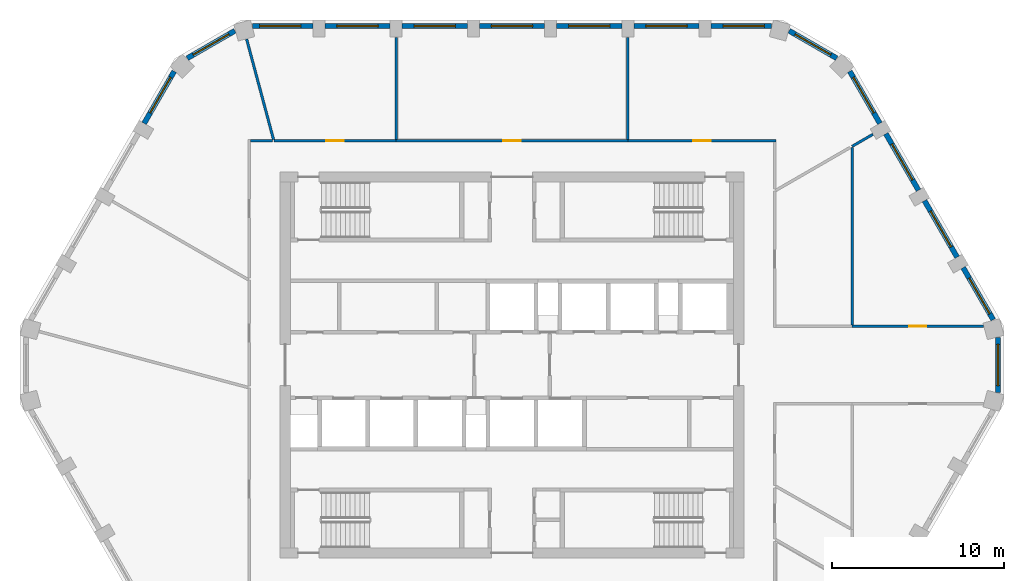
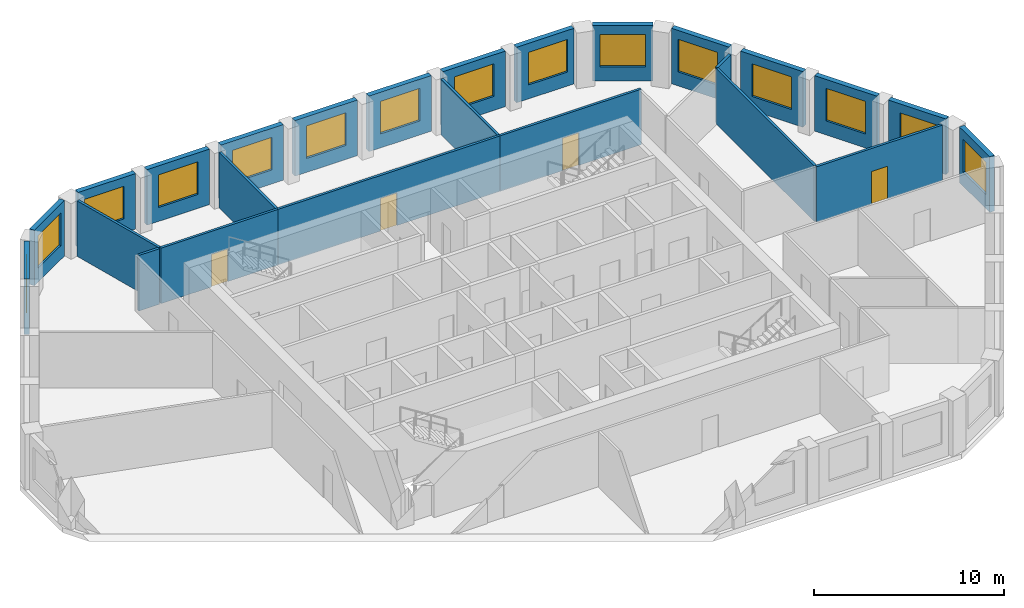
# One storey, part 6 of 10: 25 walls, 15 windows, 4 doors, 19 openings.
"""IFC4 building model written with IfcOpenShell, lengths in metres."""

from ifc_helpers import new_model, si_unit, direction, frame, frame_2d, origin, place, context, subcontext, project, spatial, rectangle, extrude, material, layer, layer_set, type_object, element, fill, save


model = new_model("IFC4")

# Units and contexts
model_context = context("Model", 3, precision=1e-05, world=origin(), true_north=direction((0.0, 1.0)))
body_context = subcontext(model_context, "Body", "Model", "MODEL_VIEW")
ifc_project = project(units=[si_unit("LENGTHUNIT", "METRE"), si_unit("AREAUNIT", "SQUARE_METRE"), si_unit("VOLUMEUNIT", "CUBIC_METRE"), si_unit("PLANEANGLEUNIT", "RADIAN"), si_unit("MASSUNIT", "GRAM", prefix="KILO")], contexts=[model_context])

# Site, building, storey
site_placement = place(None, origin())
site = spatial("IfcSite", under=ifc_project, at=site_placement, CompositionType="ELEMENT")
building_placement = place(site_placement, origin())
building = spatial("IfcBuilding", under=site, at=building_placement, Name="Dhurran Vertical Campus", CompositionType="ELEMENT")
storey_placement = place(building_placement, frame((0.0, 0.0, 246.89990234375)))
storey = spatial("IfcBuildingStorey", under=building, at=storey_placement, Name="L61", CompositionType="ELEMENT", Elevation=246.89990234375)

# Wall, opening, window
ifc_material_1 = material(Name="Precast concrete C50/60", Category="concrete")
ifc_layer_1 = layer(ifc_material_1, 0.300048828125)
ifc_layer_set_1 = layer_set([ifc_layer_1], Name="Precast concrete C50/60")
wall_type_1 = type_object("IfcWallType", Name="Precast spandrel wall 300", PredefinedType="SOLIDWALL", material=ifc_layer_set_1)
wall_1_placement = place(storey_placement, frame((28.297119140625, -1.59814453125, 0.0), z_axis=(0.0, 0.0, 1.0), x_axis=(0.0, 1.0, 0.0)))
wall_1 = element("IfcWall", 1, at=wall_1_placement, inside=storey, type_object=wall_type_1, Name="EW1 L61.12", PredefinedType="SOLIDWALL", context=body_context, shape_type="SweptSolid", body=[
    extrude(rectangle(XDim=3.1962890625, YDim=0.300048828125, at=frame_2d((1.59814453125, 0.0))), origin(), (0.0, 0.0, 1.0), 3.5751953125),
])
opening_1_placement = place(wall_1_placement, frame((0.398193359375, 0.0, 0.89990234375)))
opening_1 = element("IfcOpeningElement", 2, at=opening_1_placement, cuts=wall_1, Name="Opening WT1", PredefinedType="OPENING", context=body_context, shape_type="SweptSolid", body=[
    extrude(rectangle(XDim=2.39990234375, YDim=2.10009765625, at=frame_2d((1.199951171875, 1.050048828125))), frame((0.0, 0.159912109375, 0.0), z_axis=(0.0, -1.0, 0.0), x_axis=(1.0, 0.0, 0.0)), (0.0, 0.0, 1.0), 0.320068359375),
])
ifc_material_2 = material(Name="Aluminium frame with solar-control glass", Category="aluminium")
window_type = type_object("IfcWindowType", Name="Punched window 2400 x 2100", PartitioningType="SINGLE_PANEL", PredefinedType="WINDOW", material=ifc_material_2)
window_1_placement = place(opening_1_placement, origin())
window_1 = element("IfcWindow", 3, at=window_1_placement, inside=storey, type_object=window_type, Name="WT1 L61.12", OverallHeight=2.10009765625, OverallWidth=2.39990234375, PartitioningType="SINGLE_PANEL", PredefinedType="WINDOW", context=body_context, shape_type="SweptSolid", body=[
    extrude(rectangle(XDim=2.39990234375, YDim=2.10009765625, at=frame_2d((1.199951171875, 1.050048828125))), frame((0.0, 0.030029296875, 0.0), z_axis=(0.0, -1.0, 0.0), x_axis=(1.0, 0.0, 0.0)), (0.0, 0.0, 1.0), 0.06005859375),
])
fill(opening_1, window_1)

wall_2_placement = place(storey_placement, frame((28.01806640625, 2.6396484375, 0.0), z_axis=(0.0, 0.0, 1.0), x_axis=(-0.499990325971, 0.866030989016, 0.0)))
wall_2 = element("IfcWall", 4, at=wall_2_placement, inside=storey, type_object=wall_type_1, Name="EW1 L61.13", PredefinedType="SOLIDWALL", context=body_context, shape_type="SweptSolid", body=[
    extrude(rectangle(XDim=3.49755859375, YDim=0.300048828125, at=frame_2d((1.748779296875, 0.0))), origin(), (0.0, 0.0, 1.0), 3.5751953125),
])
opening_2_placement = place(wall_2_placement, frame((0.398193359375, 0.0, 0.89990234375)))
opening_2 = element("IfcOpeningElement", 5, at=opening_2_placement, cuts=wall_2, Name="Opening WT1", PredefinedType="OPENING", context=body_context, shape_type="SweptSolid", body=[
    extrude(rectangle(XDim=2.39990234375, YDim=2.10009765625, at=frame_2d((1.199951171875, 1.050048828125))), frame((0.0, 0.159912109375, 0.0), z_axis=(0.0, -1.0, 0.0), x_axis=(1.0, 0.0, 0.0)), (0.0, 0.0, 1.0), 0.320068359375),
])
window_2_placement = place(opening_2_placement, origin())
window_2 = element("IfcWindow", 6, at=window_2_placement, inside=storey, type_object=window_type, Name="WT1 L61.13", OverallHeight=2.10009765625, OverallWidth=2.39990234375, PartitioningType="SINGLE_PANEL", PredefinedType="WINDOW", context=body_context, shape_type="SweptSolid", body=[
    extrude(rectangle(XDim=2.39990234375, YDim=2.10009765625, at=frame_2d((1.199951171875, 1.050048828125))), frame((0.0, 0.030029296875, 0.0), z_axis=(0.0, -1.0, 0.0), x_axis=(1.0, 0.0, 0.0)), (0.0, 0.0, 1.0), 0.06005859375),
])
fill(opening_2, window_2)

wall_3_placement = place(storey_placement, frame((25.918701171875, 6.275634765625, 0.0), z_axis=(0.0, 0.0, 1.0), x_axis=(-0.499982058975, 0.866035761792, 0.0)))
wall_3 = element("IfcWall", 7, at=wall_3_placement, inside=storey, type_object=wall_type_1, Name="EW1 L61.14", PredefinedType="SOLIDWALL", context=body_context, shape_type="SweptSolid", body=[
    extrude(rectangle(XDim=3.799072265625, YDim=0.300048828125, at=frame_2d((1.8994140625, 0.0))), origin(), (0.0, 0.0, 1.0), 3.5751953125),
])
opening_3_placement = place(wall_3_placement, frame((0.699462890625, 0.0, 0.89990234375)))
opening_3 = element("IfcOpeningElement", 8, at=opening_3_placement, cuts=wall_3, Name="Opening WT1", PredefinedType="OPENING", context=body_context, shape_type="SweptSolid", body=[
    extrude(rectangle(XDim=2.39990234375, YDim=2.10009765625, at=frame_2d((1.199951171875, 1.050048828125))), frame((0.0, 0.159912109375, 0.0), z_axis=(0.0, -1.0, 0.0), x_axis=(1.0, 0.0, 0.0)), (0.0, 0.0, 1.0), 0.320068359375),
])
window_3_placement = place(opening_3_placement, origin())
window_3 = element("IfcWindow", 9, at=window_3_placement, inside=storey, type_object=window_type, Name="WT1 L61.14", OverallHeight=2.10009765625, OverallWidth=2.39990234375, PartitioningType="SINGLE_PANEL", PredefinedType="WINDOW", context=body_context, shape_type="SweptSolid", body=[
    extrude(rectangle(XDim=2.39990234375, YDim=2.10009765625, at=frame_2d((1.199951171875, 1.050048828125))), frame((0.0, 0.030029296875, 0.0), z_axis=(0.0, -1.0, 0.0), x_axis=(1.0, 0.0, 0.0)), (0.0, 0.0, 1.0), 0.06005859375),
])
fill(opening_3, window_3)

wall_4_placement = place(storey_placement, frame((23.668701171875, 10.1728515625, 0.0), z_axis=(0.0, 0.0, 1.0), x_axis=(-0.499982058975, 0.866035761792, 0.0)))
wall_4 = element("IfcWall", 10, at=wall_4_placement, inside=storey, type_object=wall_type_1, Name="EW1 L61.15", PredefinedType="SOLIDWALL", context=body_context, shape_type="SweptSolid", body=[
    extrude(rectangle(XDim=3.799072265625, YDim=0.300048828125, at=frame_2d((1.8994140625, 0.0))), origin(), (0.0, 0.0, 1.0), 3.5751953125),
])
opening_4_placement = place(wall_4_placement, frame((0.699462890625, 0.0, 0.89990234375)))
opening_4 = element("IfcOpeningElement", 11, at=opening_4_placement, cuts=wall_4, Name="Opening WT1", PredefinedType="OPENING", context=body_context, shape_type="SweptSolid", body=[
    extrude(rectangle(XDim=2.39990234375, YDim=2.10009765625, at=frame_2d((1.199951171875, 1.050048828125))), frame((0.0, 0.159912109375, 0.0), z_axis=(0.0, -1.0, 0.0), x_axis=(1.0, 0.0, 0.0)), (0.0, 0.0, 1.0), 0.320068359375),
])
window_4_placement = place(opening_4_placement, origin())
window_4 = element("IfcWindow", 12, at=window_4_placement, inside=storey, type_object=window_type, Name="WT1 L61.15", OverallHeight=2.10009765625, OverallWidth=2.39990234375, PartitioningType="SINGLE_PANEL", PredefinedType="WINDOW", context=body_context, shape_type="SweptSolid", body=[
    extrude(rectangle(XDim=2.39990234375, YDim=2.10009765625, at=frame_2d((1.199951171875, 1.050048828125))), frame((0.0, 0.030029296875, 0.0), z_axis=(0.0, -1.0, 0.0), x_axis=(1.0, 0.0, 0.0)), (0.0, 0.0, 1.0), 0.06005859375),
])
fill(opening_4, window_4)

wall_5_placement = place(storey_placement, frame((21.418701171875, 14.06982421875, 0.0), z_axis=(0.0, 0.0, 1.0), x_axis=(-0.499960102815, 0.866048437209, 0.0)))
wall_5 = element("IfcWall", 13, at=wall_5_placement, inside=storey, type_object=wall_type_1, Name="EW1 L61.16", PredefinedType="SOLIDWALL", context=body_context, shape_type="SweptSolid", body=[
    extrude(rectangle(XDim=3.497802734375, YDim=0.300048828125, at=frame_2d((1.7490234375, 0.0))), origin(), (0.0, 0.0, 1.0), 3.5751953125),
])
opening_5_placement = place(wall_5_placement, frame((0.699462890625, 0.0, 0.89990234375)))
opening_5 = element("IfcOpeningElement", 14, at=opening_5_placement, cuts=wall_5, Name="Opening WT1", PredefinedType="OPENING", context=body_context, shape_type="SweptSolid", body=[
    extrude(rectangle(XDim=2.39990234375, YDim=2.10009765625, at=frame_2d((1.199951171875, 1.050048828125))), frame((0.0, 0.159912109375, 0.0), z_axis=(0.0, -1.0, 0.0), x_axis=(1.0, 0.0, 0.0)), (0.0, 0.0, 1.0), 0.320068359375),
])
window_5_placement = place(opening_5_placement, origin())
window_5 = element("IfcWindow", 15, at=window_5_placement, inside=storey, type_object=window_type, Name="WT1 L61.16", OverallHeight=2.10009765625, OverallWidth=2.39990234375, PartitioningType="SINGLE_PANEL", PredefinedType="WINDOW", context=body_context, shape_type="SweptSolid", body=[
    extrude(rectangle(XDim=2.39990234375, YDim=2.10009765625, at=frame_2d((1.199951171875, 1.050048828125))), frame((0.0, 0.030029296875, 0.0), z_axis=(0.0, -1.0, 0.0), x_axis=(1.0, 0.0, 0.0)), (0.0, 0.0, 1.0), 0.06005859375),
])
fill(opening_5, window_5)

wall_6_placement = place(storey_placement, frame((18.90771484375, 17.861328125, 0.0), z_axis=(0.0, 0.0, 1.0), x_axis=(-0.866025316205, 0.500000151692, 0.0)))
wall_6 = element("IfcWall", 16, at=wall_6_placement, inside=storey, type_object=wall_type_1, Name="EW1 L61.17", PredefinedType="SOLIDWALL", context=body_context, shape_type="SweptSolid", body=[
    extrude(rectangle(XDim=3.1962890625, YDim=0.300048828125, at=frame_2d((1.59814453125, 0.0))), origin(), (0.0, 0.0, 1.0), 3.5751953125),
])
opening_6_placement = place(wall_6_placement, frame((0.398193359375, 0.0, 0.89990234375)))
opening_6 = element("IfcOpeningElement", 17, at=opening_6_placement, cuts=wall_6, Name="Opening WT1", PredefinedType="OPENING", context=body_context, shape_type="SweptSolid", body=[
    extrude(rectangle(XDim=2.39990234375, YDim=2.10009765625, at=frame_2d((1.199951171875, 1.050048828125))), frame((0.0, 0.159912109375, 0.0), z_axis=(0.0, -1.0, 0.0), x_axis=(1.0, 0.0, 0.0)), (0.0, 0.0, 1.0), 0.320068359375),
])
window_6_placement = place(opening_6_placement, origin())
window_6 = element("IfcWindow", 18, at=window_6_placement, inside=storey, type_object=window_type, Name="WT1 L61.17", OverallHeight=2.10009765625, OverallWidth=2.39990234375, PartitioningType="SINGLE_PANEL", PredefinedType="WINDOW", context=body_context, shape_type="SweptSolid", body=[
    extrude(rectangle(XDim=2.39990234375, YDim=2.10009765625, at=frame_2d((1.199951171875, 1.050048828125))), frame((0.0, 0.030029296875, 0.0), z_axis=(0.0, -1.0, 0.0), x_axis=(1.0, 0.0, 0.0)), (0.0, 0.0, 1.0), 0.06005859375),
])
fill(opening_6, window_6)

wall_7_placement = place(storey_placement, frame((15.09814453125, 19.738525390625, 0.0), z_axis=(0.0, 0.0, 1.0), x_axis=(-1.0, 0.0, 0.0)))
wall_7 = element("IfcWall", 19, at=wall_7_placement, inside=storey, type_object=wall_type_1, Name="EW1 L61.18", PredefinedType="SOLIDWALL", context=body_context, shape_type="SweptSolid", body=[
    extrude(rectangle(XDim=3.49755859375, YDim=0.300048828125, at=frame_2d((1.748779296875, 0.0))), origin(), (0.0, 0.0, 1.0), 3.5751953125),
])
opening_7_placement = place(wall_7_placement, frame((0.398193359375, 0.0, 0.89990234375)))
opening_7 = element("IfcOpeningElement", 20, at=opening_7_placement, cuts=wall_7, Name="Opening WT1", PredefinedType="OPENING", context=body_context, shape_type="SweptSolid", body=[
    extrude(rectangle(XDim=2.39990234375, YDim=2.10009765625, at=frame_2d((1.199951171875, 1.050048828125))), frame((0.0, 0.159912109375, 0.0), z_axis=(0.0, -1.0, 0.0), x_axis=(1.0, 0.0, 0.0)), (0.0, 0.0, 1.0), 0.320068359375),
])
window_7_placement = place(opening_7_placement, origin())
window_7 = element("IfcWindow", 21, at=window_7_placement, inside=storey, type_object=window_type, Name="WT1 L61.18", OverallHeight=2.10009765625, OverallWidth=2.39990234375, PartitioningType="SINGLE_PANEL", PredefinedType="WINDOW", context=body_context, shape_type="SweptSolid", body=[
    extrude(rectangle(XDim=2.39990234375, YDim=2.10009765625, at=frame_2d((1.199951171875, 1.050048828125))), frame((0.0, 0.030029296875, 0.0), z_axis=(0.0, -1.0, 0.0), x_axis=(1.0, 0.0, 0.0)), (0.0, 0.0, 1.0), 0.06005859375),
])
fill(opening_7, window_7)

wall_8_placement = place(storey_placement, frame((10.8994140625, 19.738525390625, 0.0), z_axis=(0.0, 0.0, 1.0), x_axis=(-1.0, 0.0, 0.0)))
wall_8 = element("IfcWall", 22, at=wall_8_placement, inside=storey, type_object=wall_type_1, Name="EW1 L61.19", PredefinedType="SOLIDWALL", context=body_context, shape_type="SweptSolid", body=[
    extrude(rectangle(XDim=3.798828125, YDim=0.300048828125, at=frame_2d((1.8994140625, 0.0))), origin(), (0.0, 0.0, 1.0), 3.5751953125),
])
opening_8_placement = place(wall_8_placement, frame((0.699462890625, 0.0, 0.89990234375)))
opening_8 = element("IfcOpeningElement", 23, at=opening_8_placement, cuts=wall_8, Name="Opening WT1", PredefinedType="OPENING", context=body_context, shape_type="SweptSolid", body=[
    extrude(rectangle(XDim=2.39990234375, YDim=2.10009765625, at=frame_2d((1.199951171875, 1.050048828125))), frame((0.0, 0.159912109375, 0.0), z_axis=(0.0, -1.0, 0.0), x_axis=(1.0, 0.0, 0.0)), (0.0, 0.0, 1.0), 0.320068359375),
])
window_8_placement = place(opening_8_placement, origin())
window_8 = element("IfcWindow", 24, at=window_8_placement, inside=storey, type_object=window_type, Name="WT1 L61.19", OverallHeight=2.10009765625, OverallWidth=2.39990234375, PartitioningType="SINGLE_PANEL", PredefinedType="WINDOW", context=body_context, shape_type="SweptSolid", body=[
    extrude(rectangle(XDim=2.39990234375, YDim=2.10009765625, at=frame_2d((1.199951171875, 1.050048828125))), frame((0.0, 0.030029296875, 0.0), z_axis=(0.0, -1.0, 0.0), x_axis=(1.0, 0.0, 0.0)), (0.0, 0.0, 1.0), 0.06005859375),
])
fill(opening_8, window_8)

wall_9_placement = place(storey_placement, frame((6.3994140625, 19.738525390625, 0.0), z_axis=(0.0, 0.0, 1.0), x_axis=(-1.0, 0.0, 0.0)))
wall_9 = element("IfcWall", 25, at=wall_9_placement, inside=storey, type_object=wall_type_1, Name="EW1 L61.20", PredefinedType="SOLIDWALL", context=body_context, shape_type="SweptSolid", body=[
    extrude(rectangle(XDim=3.798828125, YDim=0.300048828125, at=frame_2d((1.8994140625, 0.0))), origin(), (0.0, 0.0, 1.0), 3.5751953125),
])
opening_9_placement = place(wall_9_placement, frame((0.699462890625, 0.0, 0.89990234375)))
opening_9 = element("IfcOpeningElement", 26, at=opening_9_placement, cuts=wall_9, Name="Opening WT1", PredefinedType="OPENING", context=body_context, shape_type="SweptSolid", body=[
    extrude(rectangle(XDim=2.39990234375, YDim=2.10009765625, at=frame_2d((1.199951171875, 1.050048828125))), frame((0.0, 0.159912109375, 0.0), z_axis=(0.0, -1.0, 0.0), x_axis=(1.0, 0.0, 0.0)), (0.0, 0.0, 1.0), 0.320068359375),
])
window_9_placement = place(opening_9_placement, origin())
window_9 = element("IfcWindow", 27, at=window_9_placement, inside=storey, type_object=window_type, Name="WT1 L61.20", OverallHeight=2.10009765625, OverallWidth=2.39990234375, PartitioningType="SINGLE_PANEL", PredefinedType="WINDOW", context=body_context, shape_type="SweptSolid", body=[
    extrude(rectangle(XDim=2.39990234375, YDim=2.10009765625, at=frame_2d((1.199951171875, 1.050048828125))), frame((0.0, 0.030029296875, 0.0), z_axis=(0.0, -1.0, 0.0), x_axis=(1.0, 0.0, 0.0)), (0.0, 0.0, 1.0), 0.06005859375),
])
fill(opening_9, window_9)

wall_10_placement = place(storey_placement, frame((1.8994140625, 19.738525390625, 0.0), z_axis=(0.0, 0.0, 1.0), x_axis=(-1.0, 0.0, 0.0)))
wall_10 = element("IfcWall", 28, at=wall_10_placement, inside=storey, type_object=wall_type_1, Name="EW1 L61.21", PredefinedType="SOLIDWALL", context=body_context, shape_type="SweptSolid", body=[
    extrude(rectangle(XDim=3.798828125, YDim=0.300048828125, at=frame_2d((1.8994140625, 0.0))), origin(), (0.0, 0.0, 1.0), 3.5751953125),
])
opening_10_placement = place(wall_10_placement, frame((0.699462890625, 0.0, 0.89990234375)))
opening_10 = element("IfcOpeningElement", 29, at=opening_10_placement, cuts=wall_10, Name="Opening WT1", PredefinedType="OPENING", context=body_context, shape_type="SweptSolid", body=[
    extrude(rectangle(XDim=2.39990234375, YDim=2.10009765625, at=frame_2d((1.199951171875, 1.050048828125))), frame((0.0, 0.159912109375, 0.0), z_axis=(0.0, -1.0, 0.0), x_axis=(1.0, 0.0, 0.0)), (0.0, 0.0, 1.0), 0.320068359375),
])
window_10_placement = place(opening_10_placement, origin())
window_10 = element("IfcWindow", 30, at=window_10_placement, inside=storey, type_object=window_type, Name="WT1 L61.21", OverallHeight=2.10009765625, OverallWidth=2.39990234375, PartitioningType="SINGLE_PANEL", PredefinedType="WINDOW", context=body_context, shape_type="SweptSolid", body=[
    extrude(rectangle(XDim=2.39990234375, YDim=2.10009765625, at=frame_2d((1.199951171875, 1.050048828125))), frame((0.0, 0.030029296875, 0.0), z_axis=(0.0, -1.0, 0.0), x_axis=(1.0, 0.0, 0.0)), (0.0, 0.0, 1.0), 0.06005859375),
])
fill(opening_10, window_10)

wall_11_placement = place(storey_placement, frame((-2.6005859375, 19.738525390625, 0.0), z_axis=(0.0, 0.0, 1.0), x_axis=(-1.0, 0.0, 0.0)))
wall_11 = element("IfcWall", 31, at=wall_11_placement, inside=storey, type_object=wall_type_1, Name="EW1 L61.22", PredefinedType="SOLIDWALL", context=body_context, shape_type="SweptSolid", body=[
    extrude(rectangle(XDim=3.798828125, YDim=0.300048828125, at=frame_2d((1.8994140625, 0.0))), origin(), (0.0, 0.0, 1.0), 3.5751953125),
])
opening_11_placement = place(wall_11_placement, frame((0.699462890625, 0.0, 0.89990234375)))
opening_11 = element("IfcOpeningElement", 32, at=opening_11_placement, cuts=wall_11, Name="Opening WT1", PredefinedType="OPENING", context=body_context, shape_type="SweptSolid", body=[
    extrude(rectangle(XDim=2.39990234375, YDim=2.10009765625, at=frame_2d((1.199951171875, 1.050048828125))), frame((0.0, 0.159912109375, 0.0), z_axis=(0.0, -1.0, 0.0), x_axis=(1.0, 0.0, 0.0)), (0.0, 0.0, 1.0), 0.320068359375),
])
window_11_placement = place(opening_11_placement, origin())
window_11 = element("IfcWindow", 33, at=window_11_placement, inside=storey, type_object=window_type, Name="WT1 L61.22", OverallHeight=2.10009765625, OverallWidth=2.39990234375, PartitioningType="SINGLE_PANEL", PredefinedType="WINDOW", context=body_context, shape_type="SweptSolid", body=[
    extrude(rectangle(XDim=2.39990234375, YDim=2.10009765625, at=frame_2d((1.199951171875, 1.050048828125))), frame((0.0, 0.030029296875, 0.0), z_axis=(0.0, -1.0, 0.0), x_axis=(1.0, 0.0, 0.0)), (0.0, 0.0, 1.0), 0.06005859375),
])
fill(opening_11, window_11)

wall_12_placement = place(storey_placement, frame((-7.1005859375, 19.738525390625, 0.0), z_axis=(0.0, 0.0, 1.0), x_axis=(-1.0, 0.0, 0.0)))
wall_12 = element("IfcWall", 34, at=wall_12_placement, inside=storey, type_object=wall_type_1, Name="EW1 L61.23", PredefinedType="SOLIDWALL", context=body_context, shape_type="SweptSolid", body=[
    extrude(rectangle(XDim=3.798828125, YDim=0.300048828125, at=frame_2d((1.8994140625, 0.0))), origin(), (0.0, 0.0, 1.0), 3.5751953125),
])
opening_12_placement = place(wall_12_placement, frame((0.699462890625, 0.0, 0.89990234375)))
opening_12 = element("IfcOpeningElement", 35, at=opening_12_placement, cuts=wall_12, Name="Opening WT1", PredefinedType="OPENING", context=body_context, shape_type="SweptSolid", body=[
    extrude(rectangle(XDim=2.39990234375, YDim=2.10009765625, at=frame_2d((1.199951171875, 1.050048828125))), frame((0.0, 0.159912109375, 0.0), z_axis=(0.0, -1.0, 0.0), x_axis=(1.0, 0.0, 0.0)), (0.0, 0.0, 1.0), 0.320068359375),
])
window_12_placement = place(opening_12_placement, origin())
window_12 = element("IfcWindow", 36, at=window_12_placement, inside=storey, type_object=window_type, Name="WT1 L61.23", OverallHeight=2.10009765625, OverallWidth=2.39990234375, PartitioningType="SINGLE_PANEL", PredefinedType="WINDOW", context=body_context, shape_type="SweptSolid", body=[
    extrude(rectangle(XDim=2.39990234375, YDim=2.10009765625, at=frame_2d((1.199951171875, 1.050048828125))), frame((0.0, 0.030029296875, 0.0), z_axis=(0.0, -1.0, 0.0), x_axis=(1.0, 0.0, 0.0)), (0.0, 0.0, 1.0), 0.06005859375),
])
fill(opening_12, window_12)

wall_13_placement = place(storey_placement, frame((-11.6005859375, 19.738525390625, 0.0), z_axis=(0.0, 0.0, 1.0), x_axis=(-1.0, 0.0, 0.0)))
wall_13 = element("IfcWall", 37, at=wall_13_placement, inside=storey, type_object=wall_type_1, Name="EW1 L61.24", PredefinedType="SOLIDWALL", context=body_context, shape_type="SweptSolid", body=[
    extrude(rectangle(XDim=3.49755859375, YDim=0.300048828125, at=frame_2d((1.748779296875, 0.0))), origin(), (0.0, 0.0, 1.0), 3.5751953125),
])
opening_13_placement = place(wall_13_placement, frame((0.699462890625, 0.0, 0.89990234375)))
opening_13 = element("IfcOpeningElement", 38, at=opening_13_placement, cuts=wall_13, Name="Opening WT1", PredefinedType="OPENING", context=body_context, shape_type="SweptSolid", body=[
    extrude(rectangle(XDim=2.39990234375, YDim=2.10009765625, at=frame_2d((1.199951171875, 1.050048828125))), frame((0.0, 0.159912109375, 0.0), z_axis=(0.0, -1.0, 0.0), x_axis=(1.0, 0.0, 0.0)), (0.0, 0.0, 1.0), 0.320068359375),
])
window_13_placement = place(opening_13_placement, origin())
window_13 = element("IfcWindow", 39, at=window_13_placement, inside=storey, type_object=window_type, Name="WT1 L61.24", OverallHeight=2.10009765625, OverallWidth=2.39990234375, PartitioningType="SINGLE_PANEL", PredefinedType="WINDOW", context=body_context, shape_type="SweptSolid", body=[
    extrude(rectangle(XDim=2.39990234375, YDim=2.10009765625, at=frame_2d((1.199951171875, 1.050048828125))), frame((0.0, 0.030029296875, 0.0), z_axis=(0.0, -1.0, 0.0), x_axis=(1.0, 0.0, 0.0)), (0.0, 0.0, 1.0), 0.06005859375),
])
fill(opening_13, window_13)

wall_14_placement = place(storey_placement, frame((-16.1396484375, 19.45947265625, 0.0), z_axis=(0.0, 0.0, 1.0), x_axis=(-0.866025316205, -0.500000151692, 0.0)))
wall_14 = element("IfcWall", 40, at=wall_14_placement, inside=storey, type_object=wall_type_1, Name="EW1 L61.25", PredefinedType="SOLIDWALL", context=body_context, shape_type="SweptSolid", body=[
    extrude(rectangle(XDim=3.1962890625, YDim=0.300048828125, at=frame_2d((1.59814453125, 0.0))), origin(), (0.0, 0.0, 1.0), 3.5751953125),
])
opening_14_placement = place(wall_14_placement, frame((0.398193359375, 0.0, 0.89990234375)))
opening_14 = element("IfcOpeningElement", 41, at=opening_14_placement, cuts=wall_14, Name="Opening WT1", PredefinedType="OPENING", context=body_context, shape_type="SweptSolid", body=[
    extrude(rectangle(XDim=2.39990234375, YDim=2.10009765625, at=frame_2d((1.199951171875, 1.050048828125))), frame((0.0, 0.159912109375, 0.0), z_axis=(0.0, -1.0, 0.0), x_axis=(1.0, 0.0, 0.0)), (0.0, 0.0, 1.0), 0.320068359375),
])
window_14_placement = place(opening_14_placement, origin())
window_14 = element("IfcWindow", 42, at=window_14_placement, inside=storey, type_object=window_type, Name="WT1 L61.25", OverallHeight=2.10009765625, OverallWidth=2.39990234375, PartitioningType="SINGLE_PANEL", PredefinedType="WINDOW", context=body_context, shape_type="SweptSolid", body=[
    extrude(rectangle(XDim=2.39990234375, YDim=2.10009765625, at=frame_2d((1.199951171875, 1.050048828125))), frame((0.0, 0.030029296875, 0.0), z_axis=(0.0, -1.0, 0.0), x_axis=(1.0, 0.0, 0.0)), (0.0, 0.0, 1.0), 0.06005859375),
])
fill(opening_14, window_14)

wall_15_placement = place(storey_placement, frame((-19.669921875, 17.09912109375, 0.0), z_axis=(0.0, 0.0, 1.0), x_axis=(-0.499960102815, -0.866048437209, 0.0)))
wall_15 = element("IfcWall", 43, at=wall_15_placement, inside=storey, type_object=wall_type_1, Name="EW1 L61.26", PredefinedType="SOLIDWALL", context=body_context, shape_type="SweptSolid", body=[
    extrude(rectangle(XDim=3.497802734375, YDim=0.300048828125, at=frame_2d((1.7490234375, 0.0))), origin(), (0.0, 0.0, 1.0), 3.5751953125),
])
opening_15_placement = place(wall_15_placement, frame((0.398193359375, 0.0, 0.89990234375)))
opening_15 = element("IfcOpeningElement", 44, at=opening_15_placement, cuts=wall_15, Name="Opening WT1", PredefinedType="OPENING", context=body_context, shape_type="SweptSolid", body=[
    extrude(rectangle(XDim=2.39990234375, YDim=2.10009765625, at=frame_2d((1.199951171875, 1.050048828125))), frame((0.0, 0.159912109375, 0.0), z_axis=(0.0, -1.0, 0.0), x_axis=(1.0, 0.0, 0.0)), (0.0, 0.0, 1.0), 0.320068359375),
])
window_15_placement = place(opening_15_placement, origin())
window_15 = element("IfcWindow", 45, at=window_15_placement, inside=storey, type_object=window_type, Name="WT1 L61.26", OverallHeight=2.10009765625, OverallWidth=2.39990234375, PartitioningType="SINGLE_PANEL", PredefinedType="WINDOW", context=body_context, shape_type="SweptSolid", body=[
    extrude(rectangle(XDim=2.39990234375, YDim=2.10009765625, at=frame_2d((1.199951171875, 1.050048828125))), frame((0.0, 0.030029296875, 0.0), z_axis=(0.0, -1.0, 0.0), x_axis=(1.0, 0.0, 0.0)), (0.0, 0.0, 1.0), 0.06005859375),
])
fill(opening_15, window_15)

# Wall
ifc_material_3 = material(Name="Gypsum board corridor wall on steel studs", Category="steel")
ifc_layer_2 = layer(ifc_material_3, 0.14990234375)
ifc_layer_set_2 = layer_set([ifc_layer_2], Name="Gypsum board corridor wall on steel studs")
wall_type_2 = type_object("IfcWallType", Name="fl-CW-150 corridor wall", PredefinedType="PARTITIONING", material=ifc_layer_set_2)
wall_16_placement = place(storey_placement, frame((-13.958984375, 13.050048828125, 0.0), z_axis=(0.0, 0.0, 1.0), x_axis=(-1.0, 0.0, 0.0)))
element("IfcWall", 46, at=wall_16_placement, inside=storey, type_object=wall_type_2, Name="Partition 61-09", PredefinedType="PARTITIONING", context=body_context, shape_type="SweptSolid", body=[
    extrude(rectangle(XDim=1.26611328125, YDim=0.14990234375, at=frame_2d((0.633056640625, 0.0))), origin(), (0.0, 0.0, 1.0), 3.5751953125),
])

# Wall, opening, door
wall_17_placement = place(storey_placement, frame((-6.75, 13.050048828125, 0.0), z_axis=(0.0, 0.0, 1.0), x_axis=(-1.0, 0.0, 0.0)))
wall_17 = element("IfcWall", 47, at=wall_17_placement, inside=storey, type_object=wall_type_2, Name="Partition 61-11", PredefinedType="PARTITIONING", context=body_context, shape_type="SweptSolid", body=[
    extrude(rectangle(XDim=7.114013671875, YDim=0.14990234375, at=frame_2d((3.55712890625, 0.0))), origin(), (0.0, 0.0, 1.0), 3.5751953125),
])
opening_16_placement = place(wall_17_placement, frame((3.056884765625, 0.0, 0.0)))
opening_16 = element("IfcOpeningElement", 48, at=opening_16_placement, cuts=wall_17, Name="Opening T18.04", PredefinedType="OPENING", context=body_context, shape_type="SweptSolid", body=[
    extrude(rectangle(XDim=1.0, YDim=2.10009765625, at=frame_2d((0.5, 1.050048828125))), frame((0.0, 0.0849609375, 0.0), z_axis=(0.0, -1.0, 0.0), x_axis=(1.0, 0.0, 0.0)), (0.0, 0.0, 1.0), 0.169921875),
])
ifc_material_4 = material(Name="Solid-core timber door set, fire-rated", Category="wood")
door_type = type_object("IfcDoorType", Name="fl-D-1000x2100", OperationType="SINGLE_SWING_LEFT", PredefinedType="DOOR", material=ifc_material_4)
door_1_placement = place(opening_16_placement, origin())
door_1 = element("IfcDoor", 49, at=door_1_placement, inside=storey, type_object=door_type, Name="Door 61.04", OperationType="SINGLE_SWING_RIGHT", OverallHeight=2.10009765625, OverallWidth=1.0, PredefinedType="DOOR", context=body_context, shape_type="SweptSolid", body=[
    extrude(rectangle(XDim=1.0, YDim=2.10009765625, at=frame_2d((0.5, 1.050048828125))), frame((0.0, 0.02490234375, 0.0), z_axis=(0.0, -1.0, 0.0), x_axis=(1.0, 0.0, 0.0)), (0.0, 0.0, 1.0), 0.050048828125),
])
fill(opening_16, door_1)

wall_18_placement = place(storey_placement, frame((6.75, 13.050048828125, 0.0), z_axis=(0.0, 0.0, 1.0), x_axis=(-1.0, 0.0, 0.0)))
wall_18 = element("IfcWall", 50, at=wall_18_placement, inside=storey, type_object=wall_type_2, Name="Partition 61-13", PredefinedType="PARTITIONING", context=body_context, shape_type="SweptSolid", body=[
    extrude(rectangle(XDim=13.5, YDim=0.14990234375, at=frame_2d((6.75, 0.0))), origin(), (0.0, 0.0, 1.0), 3.5751953125),
])
opening_17_placement = place(wall_18_placement, frame((6.25, 0.0, 0.0)))
opening_17 = element("IfcOpeningElement", 51, at=opening_17_placement, cuts=wall_18, Name="Opening T18.06", PredefinedType="OPENING", context=body_context, shape_type="SweptSolid", body=[
    extrude(rectangle(XDim=1.0, YDim=2.10009765625, at=frame_2d((0.5, 1.050048828125))), frame((0.0, 0.0849609375, 0.0), z_axis=(0.0, -1.0, 0.0), x_axis=(1.0, 0.0, 0.0)), (0.0, 0.0, 1.0), 0.169921875),
])
door_2_placement = place(opening_17_placement, origin())
door_2 = element("IfcDoor", 52, at=door_2_placement, inside=storey, type_object=door_type, Name="Door 61.06", OperationType="SINGLE_SWING_LEFT", OverallHeight=2.10009765625, OverallWidth=1.0, PredefinedType="DOOR", context=body_context, shape_type="SweptSolid", body=[
    extrude(rectangle(XDim=1.0, YDim=2.10009765625, at=frame_2d((0.5, 1.050048828125))), frame((0.0, 0.02490234375, 0.0), z_axis=(0.0, -1.0, 0.0), x_axis=(1.0, 0.0, 0.0)), (0.0, 0.0, 1.0), 0.050048828125),
])
fill(opening_17, door_2)

wall_19_placement = place(storey_placement, frame((15.375, 13.050048828125, 0.0), z_axis=(0.0, 0.0, 1.0), x_axis=(-1.0, 0.0, 0.0)))
wall_19 = element("IfcWall", 53, at=wall_19_placement, inside=storey, type_object=wall_type_2, Name="Partition 61-17", PredefinedType="PARTITIONING", context=body_context, shape_type="SweptSolid", body=[
    extrude(rectangle(XDim=8.625, YDim=0.14990234375, at=frame_2d((4.3125, 0.0))), origin(), (0.0, 0.0, 1.0), 3.5751953125),
])
opening_18_placement = place(wall_19_placement, frame((3.8125, 0.0, 0.0)))
opening_18 = element("IfcOpeningElement", 54, at=opening_18_placement, cuts=wall_19, Name="Opening T18.08", PredefinedType="OPENING", context=body_context, shape_type="SweptSolid", body=[
    extrude(rectangle(XDim=1.0, YDim=2.10009765625, at=frame_2d((0.5, 1.050048828125))), frame((0.0, 0.0849609375, 0.0), z_axis=(0.0, -1.0, 0.0), x_axis=(1.0, 0.0, 0.0)), (0.0, 0.0, 1.0), 0.169921875),
])
door_3_placement = place(opening_18_placement, origin())
door_3 = element("IfcDoor", 55, at=door_3_placement, inside=storey, type_object=door_type, Name="Door 61.08", OperationType="SINGLE_SWING_LEFT", OverallHeight=2.10009765625, OverallWidth=1.0, PredefinedType="DOOR", context=body_context, shape_type="SweptSolid", body=[
    extrude(rectangle(XDim=1.0, YDim=2.10009765625, at=frame_2d((0.5, 1.050048828125))), frame((0.0, 0.02490234375, 0.0), z_axis=(0.0, -1.0, 0.0), x_axis=(1.0, 0.0, 0.0)), (0.0, 0.0, 1.0), 0.050048828125),
])
fill(opening_18, door_3)

wall_20_placement = place(storey_placement, frame((19.800048828125, 2.25, 0.0), z_axis=(0.0, 0.0, 1.0), x_axis=(1.0, 0.0, 0.0)))
wall_20 = element("IfcWall", 56, at=wall_20_placement, inside=storey, type_object=wall_type_2, Name="Partition 61-35", PredefinedType="PARTITIONING", context=body_context, shape_type="SweptSolid", body=[
    extrude(rectangle(XDim=7.65234375, YDim=0.14990234375, at=frame_2d((3.826171875, 0.0))), origin(), (0.0, 0.0, 1.0), 3.5751953125),
])
opening_19_placement = place(wall_20_placement, frame((3.326171875, 0.0, 0.0)))
opening_19 = element("IfcOpeningElement", 57, at=opening_19_placement, cuts=wall_20, Name="Opening T18.14", PredefinedType="OPENING", context=body_context, shape_type="SweptSolid", body=[
    extrude(rectangle(XDim=1.0, YDim=2.10009765625, at=frame_2d((0.5, 1.050048828125))), frame((0.0, 0.0849609375, 0.0), z_axis=(0.0, -1.0, 0.0), x_axis=(1.0, 0.0, 0.0)), (0.0, 0.0, 1.0), 0.169921875),
])
door_4_placement = place(opening_19_placement, origin())
door_4 = element("IfcDoor", 58, at=door_4_placement, inside=storey, type_object=door_type, Name="Door 61.14", OperationType="SINGLE_SWING_RIGHT", OverallHeight=2.10009765625, OverallWidth=1.0, PredefinedType="DOOR", context=body_context, shape_type="SweptSolid", body=[
    extrude(rectangle(XDim=1.0, YDim=2.10009765625, at=frame_2d((0.5, 1.050048828125))), frame((0.0, 0.02490234375, 0.0), z_axis=(0.0, -1.0, 0.0), x_axis=(1.0, 0.0, 0.0)), (0.0, 0.0, 1.0), 0.050048828125),
])
fill(opening_19, door_4)

# Walls
ifc_material_5 = material(Name="Gypsum board partition on steel studs", Category="steel")
ifc_layer_3 = layer(ifc_material_5, 0.14990234375)
ifc_layer_set_3 = layer_set([ifc_layer_3], Name="Gypsum board partition on steel studs")
wall_type_3 = type_object("IfcWallType", Name="fl-PW-150 fixed partition", PredefinedType="PARTITIONING", material=ifc_layer_set_3)
wall_21_placement = place(storey_placement, frame((-15.45166015625, 18.9736328125, 0.0), z_axis=(0.0, 0.0, 1.0), x_axis=(0.258896568031, -0.965905050749, 0.0)))
element("IfcWall", 59, at=wall_21_placement, inside=storey, type_object=wall_type_3, Name="Partition 61-04", PredefinedType="PARTITIONING", context=body_context, shape_type="SweptSolid", body=[
    extrude(rectangle(XDim=6.057861328125, YDim=0.14990234375, at=frame_2d((3.02880859375, 0.0))), origin(), (0.0, 0.0, 1.0), 3.5751953125),
])
for number, where, z_axis, x_axis, name in (
    (60, (-6.75, 19.068603515625, 0.0), (0.0, 0.0, 1.0), (0.0, -1.0, 0.0), "Partition 61-12"),
    (61, (6.75, 19.068603515625, 0.0), (0.0, 0.0, 1.0), (0.0, -1.0, 0.0), "Partition 61-16"),
):
    element("IfcWall", number, at=place(storey_placement, frame(where, z_axis=z_axis, x_axis=x_axis)), inside=storey, type_object=wall_type_3, Name=name, PredefinedType="PARTITIONING", context=body_context, shape_type="SweptSolid", body=[
        extrude(rectangle(XDim=5.943603515625, YDim=0.14990234375, at=frame_2d((2.9716796875, 0.0))), origin(), (0.0, 0.0, 1.0), 3.5751953125),
    ])
wall_22_placement = place(storey_placement, frame((19.800048828125, 12.655029296875, 0.0), z_axis=(0.0, 0.0, 1.0), x_axis=(0.0, -1.0, 0.0)))
element("IfcWall", 62, at=wall_22_placement, inside=storey, type_object=wall_type_3, Name="Partition 61-34", PredefinedType="PARTITIONING", context=body_context, shape_type="SweptSolid", body=[
    extrude(rectangle(XDim=10.330078125, YDim=0.14990234375, at=frame_2d((5.1650390625, 0.0))), origin(), (0.0, 0.0, 1.0), 3.5751953125),
])
wall_23_placement = place(storey_placement, frame((21.013916015625, 13.43115234375, 0.0), z_axis=(0.0, 0.0, 1.0), x_axis=(-0.865918715181, -0.500184744569, 0.0)))
element("IfcWall", 63, at=wall_23_placement, inside=storey, type_object=wall_type_3, Name="Partition 61-36", PredefinedType="PARTITIONING", context=body_context, shape_type="SweptSolid", body=[
    extrude(rectangle(XDim=1.40185546875, YDim=0.14990234375, at=frame_2d((0.700927734375, 0.0))), origin(), (0.0, 0.0, 1.0), 3.5751953125),
])

save(model, "model.ifc")
